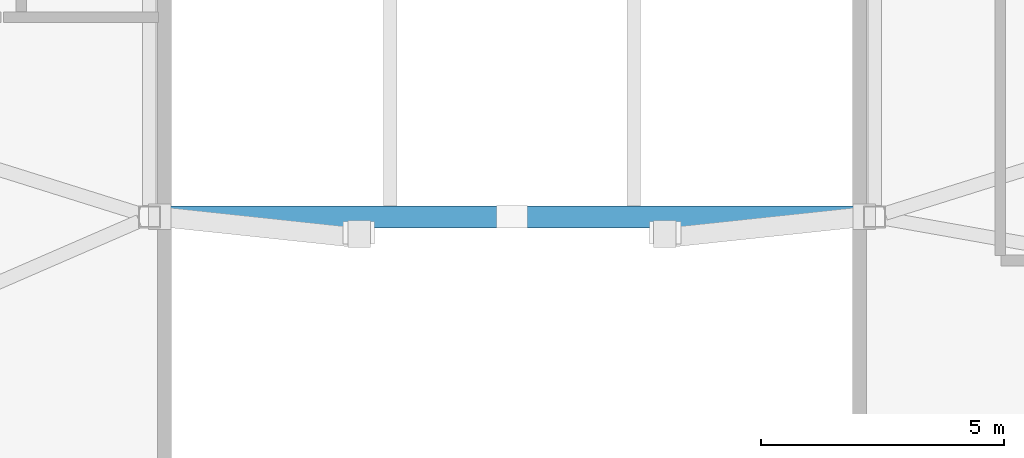
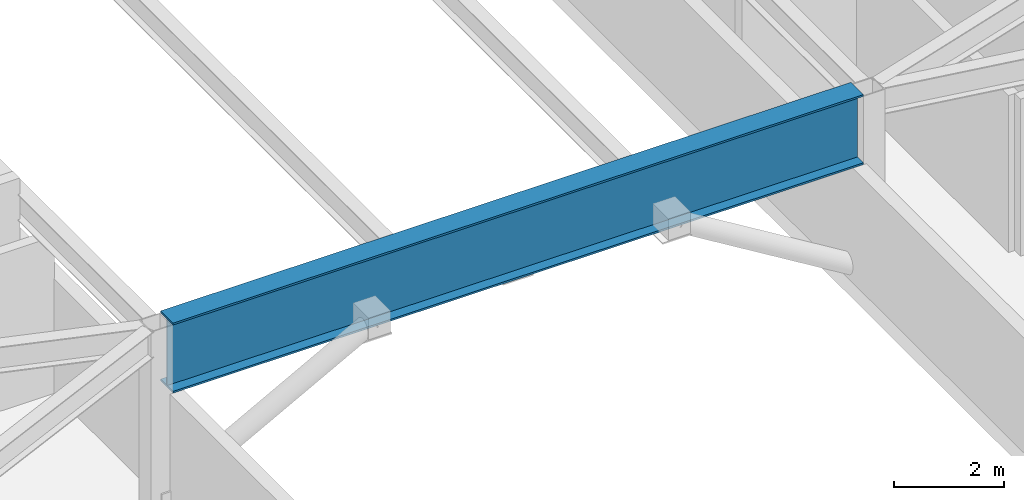
# One storey, part 4 of 16: 1 beam.
"""IFC4 building model written with IfcOpenShell, lengths in metres."""

from ifc_helpers import new_model, si_unit, direction, frame, origin, origin_2d, place, context, subcontext, project, spatial, i_section, extrude, material, material_profile, profile_set, type_object, element, save


model = new_model("IFC4")

# Units and contexts
model_context = context("Model", 3, precision=1e-05, world=origin(), true_north=direction((0.0, 1.0)))
body_context = subcontext(model_context, "Body", "Model", "MODEL_VIEW")
ifc_project = project(units=[si_unit("LENGTHUNIT", "METRE"), si_unit("AREAUNIT", "SQUARE_METRE"), si_unit("VOLUMEUNIT", "CUBIC_METRE"), si_unit("PLANEANGLEUNIT", "RADIAN"), si_unit("MASSUNIT", "GRAM", prefix="KILO")], contexts=[model_context])

# Site, building, storey
site_placement = place(None, origin())
site = spatial("IfcSite", under=ifc_project, at=site_placement, CompositionType="ELEMENT")
building_placement = place(site_placement, origin())
building = spatial("IfcBuilding", under=site, at=building_placement, Name="Zuhravey Tower", CompositionType="ELEMENT")
storey_placement = place(building_placement, frame((0.0, 0.0, 374.60009765625)))
storey = spatial("IfcBuildingStorey", under=building, at=storey_placement, Name="L95", CompositionType="ELEMENT", Elevation=374.60009765625)

# Beam
ifc_material = material(Name="Steel SM460", Category="steel")
ifc_material_profile = material_profile(ifc_material, i_section(OverallWidth=0.449951171875, OverallDepth=1.550048828125, WebThickness=0.02587890625, FlangeThickness=0.0419921875, at=origin_2d()), Name="H-1550x450x26x42")
ifc_profile_set = profile_set([ifc_material_profile], Name="Steel SM460")
beam_type = type_object("IfcBeamType", Name="Heavy Setback Transfer Girder H1550x450", PredefinedType="BEAM", material=ifc_profile_set)
beam_placement = place(storey_placement, frame((28.780029296875, 18.0, 3.31494140625), z_axis=(1.0, 0.0, 0.0), x_axis=(0.0, 1.0, 0.0)))
element("IfcBeam", 1, at=beam_placement, inside=storey, type_object=beam_type, Name="L95 Wind-Portal Cap Girder TG3-1", PredefinedType="BEAM", context=body_context, shape_type="SweptSolid", body=[
    extrude(i_section(OverallWidth=0.449951171875, OverallDepth=1.550048828125, WebThickness=0.02587890625, FlangeThickness=0.0419921875, at=origin_2d()), origin(), (0.0, 0.0, 1.0), 14.43994140625),
])

save(model, "model.ifc")
